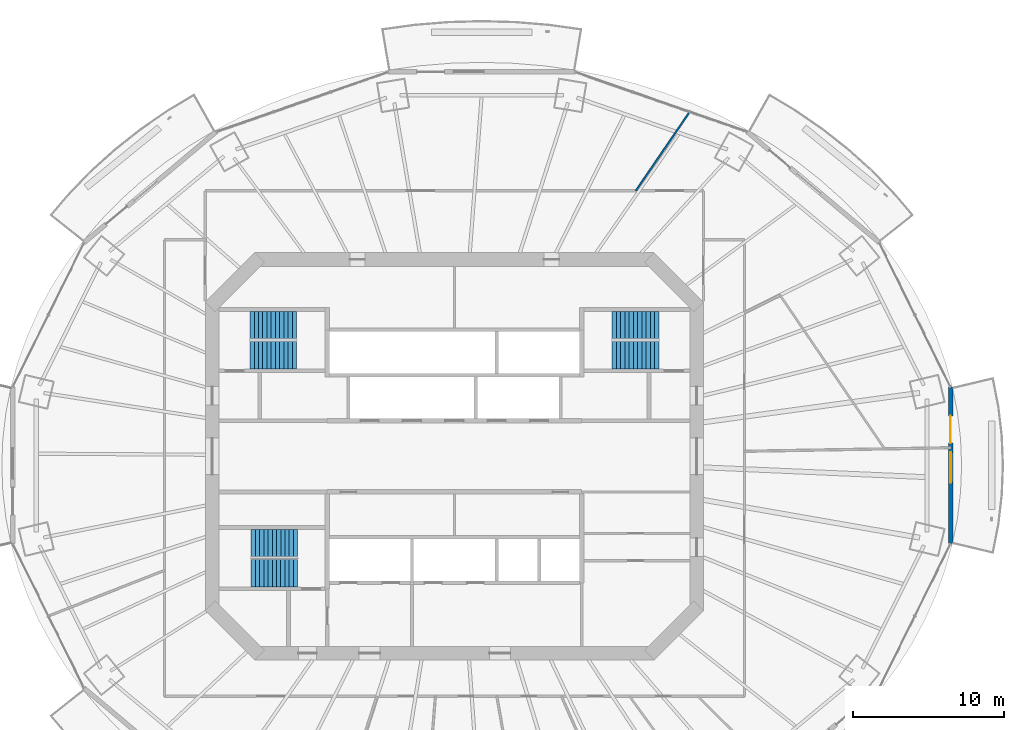
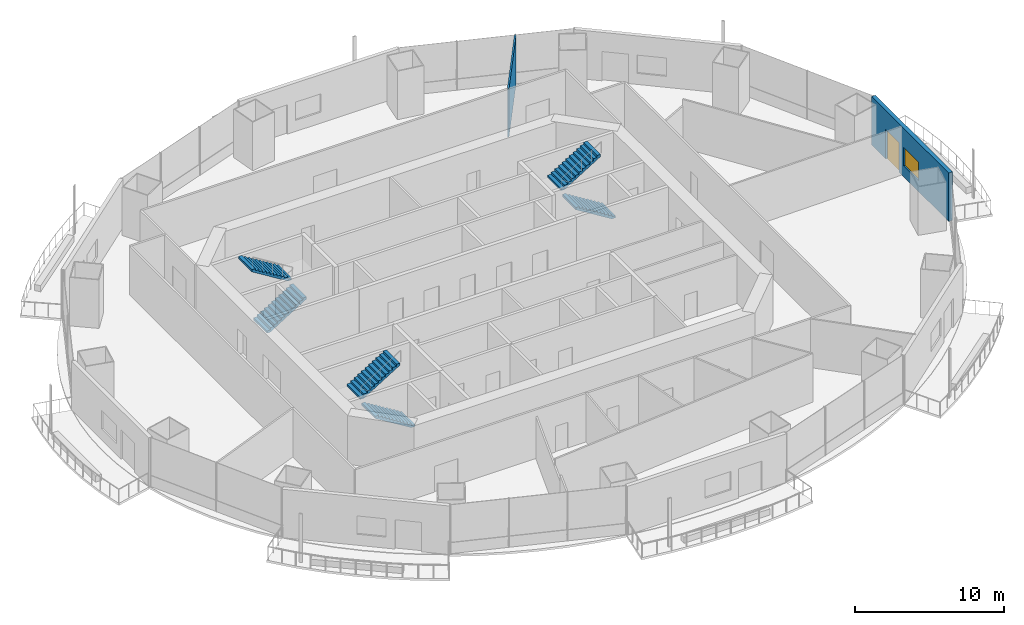
# One storey, part 15 of 21: 6 stair flights, 2 walls, 1 door, 1 window, 2 openings, 3 elements without a shape of their own.
"""IFC4 building model written with IfcOpenShell, lengths in metres."""

import ifcopenshell
import ifcopenshell.guid

model = None  # the IFC model being written
_history = None  # IfcOwnerHistory: only IFC2X3 demands one
_inside = {}  # id of a spatial element -> (the spatial element, [elements in it])
_under = {}  # id of a project, library or spatial element -> (it, [spatial elements below it])
_declared = {}  # id of a project -> (the project, [libraries it declares])
_typed = {}  # id of a type object -> (the type object, [elements of that type])
_made_of = {}  # id of a material, layer set ... -> (it, [elements and type objects made of it])


def new_model(schema):
    """Start an empty IFC model of exactly this schema.

    Asked for "IFC4X3", IfcOpenShell would pick the latest addendum, in which some entities
    have other attributes; the version numbers below select the first issue.
    IFC2X3 requires an IfcOwnerHistory on every rooted entity: one is made here for all.
    """
    global model, _history
    if schema == "IFC4X3":
        model = ifcopenshell.file(schema_version=(4, 3, 0, 0))
    else:
        model = ifcopenshell.file(schema=schema)
    _inside.clear()
    _under.clear()
    _declared.clear()
    _typed.clear()
    _made_of.clear()
    _history = None
    if model.schema == "IFC2X3":
        org = make("IfcOrganization", Name="unknown")
        user = make(
            "IfcPersonAndOrganization",
            ThePerson=make("IfcPerson", FamilyName="unknown"),
            TheOrganization=org,
        )
        app = make(
            "IfcApplication",
            ApplicationDeveloper=org,
            Version="unknown",
            ApplicationFullName="unknown",
            ApplicationIdentifier="unknown",
        )
        _history = make(
            "IfcOwnerHistory",
            OwningUser=user,
            OwningApplication=app,
            ChangeAction="ADDED",
            CreationDate=0,
        )
    return model


def make(cls, **values):
    """One entity of the class cls with the attributes given. An attribute that is None is left unset."""
    return model.create_entity(
        cls, **{name: value for name, value in values.items() if value is not None}
    )


def rooted(cls, **values):
    """An entity with a GlobalId (a new one), such as an element, a storey or a relation."""
    return make(cls, GlobalId=ifcopenshell.guid.new(), OwnerHistory=_history, **values)


def si_unit(unit_type, name, prefix=None):
    """IfcSIUnit, for example si_unit("LENGTHUNIT", "METRE", prefix="MILLI")."""
    return make("IfcSIUnit", UnitType=unit_type, Prefix=prefix, Name=name)


def assignment(units):
    """IfcUnitAssignment: the units of a project."""
    return None if units is None else make("IfcUnitAssignment", Units=units)


def point(xyz):
    """IfcCartesianPoint."""
    return None if xyz is None else make("IfcCartesianPoint", Coordinates=xyz)


def direction(xyz):
    """IfcDirection."""
    return None if xyz is None else make("IfcDirection", DirectionRatios=xyz)


def frame(location, z_axis=None, x_axis=None):
    """IfcAxis2Placement3D, a coordinate frame: its origin and axes. An axis left out is left unset."""
    return make(
        "IfcAxis2Placement3D",
        Location=point(location),
        Axis=direction(z_axis),
        RefDirection=direction(x_axis),
    )


def frame_2d(location, x_axis=None):
    """IfcAxis2Placement2D, a coordinate frame in the plane: its origin and x axis."""
    return make(
        "IfcAxis2Placement2D", Location=point(location), RefDirection=direction(x_axis)
    )


def origin():
    """The frame at (0, 0, 0) with its axes left unset."""
    return frame((0.0, 0.0, 0.0))


def place(relative_to, where):
    """IfcLocalPlacement: puts the frame where relative to a parent placement (None: the world)."""
    return make(
        "IfcLocalPlacement", PlacementRelTo=relative_to, RelativePlacement=where
    )


def context(
    kind, dimensions, precision=None, world=None, true_north=None, identifier=None
):
    """IfcGeometricRepresentationContext, for example the 3D "Model" context."""
    return make(
        "IfcGeometricRepresentationContext",
        ContextIdentifier=identifier,
        ContextType=kind,
        CoordinateSpaceDimension=dimensions,
        Precision=precision,
        WorldCoordinateSystem=world,
        TrueNorth=true_north,
    )


def subcontext(parent, identifier, kind, view, scale=None):
    """IfcGeometricRepresentationSubContext, for example "Body" below "Model"."""
    return make(
        "IfcGeometricRepresentationSubContext",
        ContextIdentifier=identifier,
        ContextType=kind,
        ParentContext=parent,
        TargetScale=scale,
        TargetView=view,
    )


def project(units=None, contexts=None):
    """IfcProject with its units and contexts."""
    return rooted(
        "IfcProject",
        Name="project",
        RepresentationContexts=contexts,
        UnitsInContext=assignment(units),
    )


def spatial(cls, under=None, at=None, **own):
    """A site, building, storey or space (cls), placed at a placement, below another one or the project."""
    s = rooted(cls, ObjectPlacement=at, **own)
    if under is not None:
        _under.setdefault(under.id(), (under, []))[1].append(s)
    return s


def polyline(points):
    """IfcPolyline through the points."""
    return make("IfcPolyline", Points=[point(p) for p in points])


def profile(cls, at=None, kind="AREA", **sizes):
    """A parametric profile (cls). Its sizes go by their IFC names, for example OverallWidth=200.0."""
    return make(cls, ProfileType=kind, Position=at, **sizes)


def rectangle(**sizes):
    """IfcRectangleProfileDef."""
    return profile("IfcRectangleProfileDef", **sizes)


def outline(outer, holes=None, kind="AREA"):
    """IfcArbitraryClosedProfileDef: a profile drawn as a closed curve; with holes, ...WithVoids."""
    if holes is None:
        return make("IfcArbitraryClosedProfileDef", ProfileType=kind, OuterCurve=outer)
    return make(
        "IfcArbitraryProfileDefWithVoids",
        ProfileType=kind,
        OuterCurve=outer,
        InnerCurves=holes,
    )


def extrude(swept, where, along, depth):
    """IfcExtrudedAreaSolid: the profile swept, set in the frame where, extruded along a direction by depth."""
    return make(
        "IfcExtrudedAreaSolid",
        SweptArea=swept,
        Position=where,
        ExtrudedDirection=direction(along),
        Depth=depth,
    )


def shape(context_of_items, identifier, shape_type, items):
    """IfcShapeRepresentation: the items that make up one representation, for example the "Body"."""
    return make(
        "IfcShapeRepresentation",
        ContextOfItems=context_of_items,
        RepresentationIdentifier=identifier,
        RepresentationType=shape_type,
        Items=items,
    )


def material(Name=None, Category=None):
    """IfcMaterial."""
    return make("IfcMaterial", Name=Name, Category=Category)


def layer(
    of_material, thickness, ventilated=None, Name=None, Category=None, Priority=None
):
    """IfcMaterialLayer: one layer of a wall or slab, of a material (None: an air gap)."""
    return make(
        "IfcMaterialLayer",
        Material=of_material,
        LayerThickness=thickness,
        IsVentilated=ventilated,
        Name=Name,
        Category=Category,
        Priority=Priority,
    )


def layer_set(layers, Name=None):
    """IfcMaterialLayerSet."""
    return make("IfcMaterialLayerSet", MaterialLayers=layers, LayerSetName=Name)


def made_of(thing, what):
    """Note that an element or type object is made of a material, layer set ...; save() writes the relation."""
    if what is not None:
        _made_of.setdefault(what.id(), (what, []))[1].append(thing)
    return thing


def type_object(cls, material=None, **own):
    """A type object (cls), such as IfcWallType, which elements share."""
    return made_of(rooted(cls, **own), material)


def element(
    cls,
    number,
    at=None,
    inside=None,
    cuts=None,
    type_object=None,
    material=None,
    context=None,
    identifier="Body",
    shape_type=None,
    held_by="IfcProductDefinitionShape",
    body=None,
    shapes=None,
    **own,
):
    """One element of the class cls, such as IfcWall. Its Tag is "e" and its number.

    at: its placement. inside: the storey or other place that contains it. cuts: it is an
    opening in that element (IfcRelVoidsElement). A single representation is given by context,
    identifier, shape_type and body (its items); several are given by shapes. held_by: the class
    of the entity that holds the representations. save() writes the other relations.
    """
    e = rooted(cls, Tag="e%d" % number, ObjectPlacement=at, **own)
    if body is not None:
        shapes = [shape(context, identifier, shape_type, body)]
    if shapes is not None:
        e.Representation = make(held_by, Representations=shapes)
    if inside is not None:
        _inside.setdefault(inside.id(), (inside, []))[1].append(e)
    if cuts is not None:
        rooted(
            "IfcRelVoidsElement", RelatingBuildingElement=cuts, RelatedOpeningElement=e
        )
    if type_object is not None:
        _typed.setdefault(type_object.id(), (type_object, []))[1].append(e)
    return made_of(e, material)


def fill(opening, filler):
    """IfcRelFillsElement: the door or window that sits in an opening."""
    return rooted(
        "IfcRelFillsElement",
        RelatingOpeningElement=opening,
        RelatedBuildingElement=filler,
    )


def aggregate(whole, parts):
    """IfcRelAggregates: a whole, such as a stair, and the parts it consists of."""
    return rooted("IfcRelAggregates", RelatingObject=whole, RelatedObjects=parts)


def save(model, path):
    """Write the relations noted so far, then the file.

    IfcRelAggregates (storeys below a building ...), IfcRelContainedInSpatialStructure (elements
    in a storey), IfcRelDefinesByType, IfcRelAssociatesMaterial and IfcRelDeclares: one each for
    every whole, place, type object, material and project.
    """
    for whole, parts in _under.values():
        aggregate(whole, parts)
    for where, things in _inside.values():
        rooted(
            "IfcRelContainedInSpatialStructure",
            RelatedElements=things,
            RelatingStructure=where,
        )
    for kind, things in _typed.values():
        rooted("IfcRelDefinesByType", RelatedObjects=things, RelatingType=kind)
    for what, things in _made_of.values():
        rooted("IfcRelAssociatesMaterial", RelatedObjects=things, RelatingMaterial=what)
    for by, libraries in _declared.values():
        rooted("IfcRelDeclares", RelatingContext=by, RelatedDefinitions=libraries)
    model.write(path)


model = new_model("IFC4")

# Units and contexts
model_context = context("Model", 3, precision=1e-05, world=origin(), true_north=direction((0.0, 1.0)))
body_context = subcontext(model_context, "Body", "Model", "MODEL_VIEW")
ifc_project = project(units=[si_unit("LENGTHUNIT", "METRE"), si_unit("AREAUNIT", "SQUARE_METRE"), si_unit("VOLUMEUNIT", "CUBIC_METRE"), si_unit("PLANEANGLEUNIT", "RADIAN"), si_unit("MASSUNIT", "GRAM", prefix="KILO")], contexts=[model_context])

# Site, building, storey
site_placement = place(None, origin())
site = spatial("IfcSite", under=ifc_project, at=site_placement, CompositionType="ELEMENT")
building_placement = place(site_placement, origin())
building = spatial("IfcBuilding", under=site, at=building_placement, Name="Marenthal Gate Tower", CompositionType="ELEMENT")
storey_placement = place(building_placement, frame((0.0, 0.0, 206.699951171875)))
storey = spatial("IfcBuildingStorey", under=building, at=storey_placement, Name="L45", CompositionType="ELEMENT", Elevation=206.699951171875)

# Wall
ifc_material_1 = material(Name="Gypsum board on steel studs", Category="steel")
ifc_layer_1 = layer(ifc_material_1, 0.1201171875)
ifc_layer_set_1 = layer_set([ifc_layer_1], Name="Partition 120")
wall_type_1 = type_object("IfcWallType", Name="Partition 120", PredefinedType="PARTITIONING", material=ifc_layer_set_1)
wall_1_placement = place(storey_placement, frame((11.974365234375, 17.534423828125, 0.0), z_axis=(0.0, 0.0, 1.0), x_axis=(0.563957789677, 0.825803615554, 0.0)))
element("IfcWall", 1, at=wall_1_placement, inside=storey, type_object=wall_type_1, Name="Partition wall 59", PredefinedType="PARTITIONING", context=body_context, shape_type="SweptSolid", body=[
    extrude(rectangle(XDim=6.31787109375, YDim=0.1201171875, at=frame_2d((3.158935546875, 0.0))), origin(), (0.0, 0.0, 1.0), 3.969970703125),
])

# Wall, openings, door, window
ifc_material_2 = material(Name="Terracotta cladding on insulated concrete-block backing", Category="masonry")
ifc_layer_2 = layer(ifc_material_2, 0.300048828125)
ifc_layer_set_2 = layer_set([ifc_layer_2], Name="Terracotta facade wall 300")
wall_type_2 = type_object("IfcWallType", Name="Terracotta facade wall 300", PredefinedType="SOLIDWALL", material=ifc_layer_set_2)
wall_2_placement = place(storey_placement, frame((32.765380859375, -5.768798828125, 0.0), z_axis=(0.0, 0.0, 1.0), x_axis=(0.0, 1.0, 0.0)))
wall_2 = element("IfcWall", 2, at=wall_2_placement, inside=storey, type_object=wall_type_2, Name="Terracotta facade wall L45 bay 16", PredefinedType="SOLIDWALL", context=body_context, shape_type="SweptSolid", body=[
    extrude(rectangle(XDim=10.337646484375, YDim=0.300048828125, at=frame_2d((5.1689453125, 0.0))), origin(), (0.0, 0.0, 1.0), 3.969970703125),
])
opening_1_placement = place(wall_2_placement, frame((6.6376953125, 0.0, 0.0)))
opening_1 = element("IfcOpeningElement", 3, at=opening_1_placement, cuts=wall_2, Name="Opening BD-L45-16", PredefinedType="OPENING", context=body_context, shape_type="SweptSolid", body=[
    extrude(rectangle(XDim=1.800048828125, YDim=2.39990234375, at=frame_2d((0.89990234375, 1.199951171875))), frame((0.0, 0.16015625, 0.0), z_axis=(0.0, -1.0, 0.0), x_axis=(1.0, 0.0, 0.0)), (0.0, 0.0, 1.0), 0.320068359375),
])
opening_2_placement = place(wall_2_placement, frame((4.037841796875, 0.0, 0.89990234375)))
opening_2 = element("IfcOpeningElement", 4, at=opening_2_placement, cuts=wall_2, Name="Opening WN2-L45-16", PredefinedType="OPENING", context=body_context, shape_type="SweptSolid", body=[
    extrude(rectangle(XDim=2.0, YDim=1.5, at=frame_2d((1.0, 0.75))), frame((0.0, 0.16015625, 0.0), z_axis=(0.0, -1.0, 0.0), x_axis=(1.0, 0.0, 0.0)), (0.0, 0.0, 1.0), 0.320068359375),
])
ifc_material_3 = material(Name="Aluminium and glass", Category="aluminium")
door_type = type_object("IfcDoorType", Name="Balcony door 1800x2400", OperationType="DOUBLE_DOOR_SINGLE_SWING", PredefinedType="DOOR", material=ifc_material_3)
door_placement = place(opening_1_placement, origin())
door = element("IfcDoor", 5, at=door_placement, inside=storey, type_object=door_type, Name="Balcony door L45 bay 16", OperationType="SINGLE_SWING_LEFT", OverallHeight=2.39990234375, OverallWidth=1.800048828125, PredefinedType="DOOR", context=body_context, shape_type="SweptSolid", body=[
    extrude(rectangle(XDim=1.800048828125, YDim=2.39990234375, at=frame_2d((0.89990234375, 1.199951171875))), frame((0.0, 0.02490234375, 0.0), z_axis=(0.0, -1.0, 0.0), x_axis=(1.0, 0.0, 0.0)), (0.0, 0.0, 1.0), 0.050048828125),
])
fill(opening_1, door)
ifc_material_4 = material(Name="Aluminium and glass", Category="aluminium")
window_type = type_object("IfcWindowType", Name="Window 2000x1500", PartitioningType="DOUBLE_PANEL_VERTICAL", PredefinedType="WINDOW", material=ifc_material_4)
window_placement = place(opening_2_placement, origin())
window = element("IfcWindow", 6, at=window_placement, inside=storey, type_object=window_type, Name="Window L45 bay 16", OverallHeight=1.5, OverallWidth=2.0, PartitioningType="SINGLE_PANEL", PredefinedType="WINDOW", context=body_context, shape_type="SweptSolid", body=[
    extrude(rectangle(XDim=2.0, YDim=1.5, at=frame_2d((1.0, 0.75))), frame((0.0, 0.030029296875, 0.0), z_axis=(0.0, -1.0, 0.0), x_axis=(1.0, 0.0, 0.0)), (0.0, 0.0, 1.0), 0.06005859375),
])
fill(opening_2, window)

# Stair, stair flights
ifc_material_5 = material(Name="Concrete 40 MPa", Category="concrete")
stair_type = type_object("IfcStairType", Name="Exit stair 1800", PredefinedType="HALF_TURN_STAIR", material=ifc_material_5)
stair_1_placement = place(storey_placement, origin())
stair_1 = element("IfcStair", 7, at=stair_1_placement, inside=storey, type_object=stair_type, Name="Stair ST1", PredefinedType="HALF_TURN_STAIR")
ifc_material_6 = material(Name="Concrete 40 MPa", Category="concrete")
stair_flight_type = type_object("IfcStairFlightType", Name="Stair flight 1800", PredefinedType="STRAIGHT", material=ifc_material_6)
stair_flight_1_placement = place(storey_placement, frame((-13.5, 6.675048828125, 0.0), z_axis=(0.0, 0.0, 1.0), x_axis=(1.0, 0.0, 0.0)))
stair_flight_1 = element("IfcStairFlight", 8, at=stair_flight_1_placement, type_object=stair_flight_type, Name="ST1 flight 1", NumberOfRisers=12, NumberOfTreads=11, PredefinedType="STRAIGHT", RiserHeight=0.172916667, TreadLength=0.28, context=body_context, shape_type="SweptSolid", body=[
    extrude(outline(polyline([(0.0, 0.0), (0.0, 0.1728515625), (0.280029296875, 0.1728515625), (0.280029296875, 0.345947265625), (0.56005859375, 0.345947265625), (0.56005859375, 0.518798828125), (0.840087890625, 0.518798828125), (0.840087890625, 0.691650390625), (1.1201171875, 0.691650390625), (1.1201171875, 0.864501953125), (1.39990234375, 0.864501953125), (1.39990234375, 1.03759765625), (1.679931640625, 1.03759765625), (1.679931640625, 1.21044921875), (1.9599609375, 1.21044921875), (1.9599609375, 1.38330078125), (2.239990234375, 1.38330078125), (2.239990234375, 1.55615234375), (2.52001953125, 1.55615234375), (2.52001953125, 1.729248046875), (2.800048828125, 1.729248046875), (2.800048828125, 1.902099609375), (3.080078125, 1.902099609375), (3.080078125, 2.074951171875), (3.080078125, 1.725830078125), (0.285400390625, 0.0), (0.0, 0.0)])), frame((0.0, 0.89990234375, 0.0), z_axis=(0.0, -1.0, 0.0), x_axis=(1.0, 0.0, 0.0)), (0.0, 0.0, 1.0), 1.800048828125),
])
stair_flight_2_placement = place(storey_placement, frame((-10.419921875, 8.675048828125, 2.074951171875), z_axis=(0.0, 0.0, 1.0), x_axis=(-1.0, 0.0, 0.0)))
stair_flight_2 = element("IfcStairFlight", 9, at=stair_flight_2_placement, type_object=stair_flight_type, Name="ST1 flight 2", NumberOfRisers=12, NumberOfTreads=11, PredefinedType="STRAIGHT", RiserHeight=0.172916667, TreadLength=0.28, context=body_context, shape_type="SweptSolid", body=[
    extrude(outline(polyline([(0.0, 0.0), (0.0, 0.1728515625), (0.280029296875, 0.1728515625), (0.280029296875, 0.345947265625), (0.56005859375, 0.345947265625), (0.56005859375, 0.518798828125), (0.840087890625, 0.518798828125), (0.840087890625, 0.691650390625), (1.1201171875, 0.691650390625), (1.1201171875, 0.864501953125), (1.39990234375, 0.864501953125), (1.39990234375, 1.03759765625), (1.679931640625, 1.03759765625), (1.679931640625, 1.21044921875), (1.9599609375, 1.21044921875), (1.9599609375, 1.38330078125), (2.239990234375, 1.38330078125), (2.239990234375, 1.55615234375), (2.52001953125, 1.55615234375), (2.52001953125, 1.729248046875), (2.800048828125, 1.729248046875), (2.800048828125, 1.902099609375), (3.080078125, 1.902099609375), (3.080078125, 2.074951171875), (3.080078125, 1.725830078125), (0.285400390625, 0.0), (0.0, 0.0)])), frame((0.0, 0.89990234375, 0.0), z_axis=(0.0, -1.0, 0.0), x_axis=(1.0, 0.0, 0.0)), (0.0, 0.0, 1.0), 1.800048828125),
])
aggregate(stair_1, [stair_flight_1, stair_flight_2])

stair_2_placement = place(storey_placement, origin())
stair_2 = element("IfcStair", 10, at=stair_2_placement, inside=storey, type_object=stair_type, Name="Stair ST2", PredefinedType="HALF_TURN_STAIR")
stair_flight_3_placement = place(storey_placement, frame((-10.35009765625, -7.72509765625, 0.0), z_axis=(0.0, 0.0, 1.0), x_axis=(-1.0, 0.0, 0.0)))
stair_flight_3 = element("IfcStairFlight", 11, at=stair_flight_3_placement, type_object=stair_flight_type, Name="ST2 flight 1", NumberOfRisers=12, NumberOfTreads=11, PredefinedType="STRAIGHT", RiserHeight=0.172916667, TreadLength=0.28, context=body_context, shape_type="SweptSolid", body=[
    extrude(outline(polyline([(0.0, 0.0), (0.0, 0.1728515625), (0.280029296875, 0.1728515625), (0.280029296875, 0.345947265625), (0.56005859375, 0.345947265625), (0.56005859375, 0.518798828125), (0.840087890625, 0.518798828125), (0.840087890625, 0.691650390625), (1.1201171875, 0.691650390625), (1.1201171875, 0.864501953125), (1.39990234375, 0.864501953125), (1.39990234375, 1.03759765625), (1.679931640625, 1.03759765625), (1.679931640625, 1.21044921875), (1.9599609375, 1.21044921875), (1.9599609375, 1.38330078125), (2.239990234375, 1.38330078125), (2.239990234375, 1.55615234375), (2.52001953125, 1.55615234375), (2.52001953125, 1.729248046875), (2.800048828125, 1.729248046875), (2.800048828125, 1.902099609375), (3.080078125, 1.902099609375), (3.080078125, 2.074951171875), (3.080078125, 1.725830078125), (0.285400390625, 0.0), (0.0, 0.0)])), frame((0.0, 0.89990234375, 0.0), z_axis=(0.0, -1.0, 0.0), x_axis=(1.0, 0.0, 0.0)), (0.0, 0.0, 1.0), 1.800048828125),
])
stair_flight_4_placement = place(storey_placement, frame((-13.429931640625, -5.72509765625, 2.074951171875), z_axis=(0.0, 0.0, 1.0), x_axis=(1.0, 0.0, 0.0)))
stair_flight_4 = element("IfcStairFlight", 12, at=stair_flight_4_placement, type_object=stair_flight_type, Name="ST2 flight 2", NumberOfRisers=12, NumberOfTreads=11, PredefinedType="STRAIGHT", RiserHeight=0.172916667, TreadLength=0.28, context=body_context, shape_type="SweptSolid", body=[
    extrude(outline(polyline([(0.0, 0.0), (0.0, 0.1728515625), (0.280029296875, 0.1728515625), (0.280029296875, 0.345947265625), (0.56005859375, 0.345947265625), (0.56005859375, 0.518798828125), (0.840087890625, 0.518798828125), (0.840087890625, 0.691650390625), (1.1201171875, 0.691650390625), (1.1201171875, 0.864501953125), (1.39990234375, 0.864501953125), (1.39990234375, 1.03759765625), (1.679931640625, 1.03759765625), (1.679931640625, 1.21044921875), (1.9599609375, 1.21044921875), (1.9599609375, 1.38330078125), (2.239990234375, 1.38330078125), (2.239990234375, 1.55615234375), (2.52001953125, 1.55615234375), (2.52001953125, 1.729248046875), (2.800048828125, 1.729248046875), (2.800048828125, 1.902099609375), (3.080078125, 1.902099609375), (3.080078125, 2.074951171875), (3.080078125, 1.725830078125), (0.285400390625, 0.0), (0.0, 0.0)])), frame((0.0, 0.89990234375, 0.0), z_axis=(0.0, -1.0, 0.0), x_axis=(1.0, 0.0, 0.0)), (0.0, 0.0, 1.0), 1.800048828125),
])
aggregate(stair_2, [stair_flight_3, stair_flight_4])

stair_3_placement = place(storey_placement, origin())
stair_3 = element("IfcStair", 13, at=stair_3_placement, inside=storey, type_object=stair_type, Name="Stair ST3", PredefinedType="HALF_TURN_STAIR")
stair_flight_5_placement = place(storey_placement, frame((13.5, 6.675048828125, 0.0), z_axis=(0.0, 0.0, 1.0), x_axis=(-1.0, 0.0, 0.0)))
stair_flight_5 = element("IfcStairFlight", 14, at=stair_flight_5_placement, type_object=stair_flight_type, Name="ST3 flight 1", NumberOfRisers=12, NumberOfTreads=11, PredefinedType="STRAIGHT", RiserHeight=0.172916667, TreadLength=0.28, context=body_context, shape_type="SweptSolid", body=[
    extrude(outline(polyline([(0.0, 0.0), (0.0, 0.1728515625), (0.280029296875, 0.1728515625), (0.280029296875, 0.345947265625), (0.56005859375, 0.345947265625), (0.56005859375, 0.518798828125), (0.840087890625, 0.518798828125), (0.840087890625, 0.691650390625), (1.1201171875, 0.691650390625), (1.1201171875, 0.864501953125), (1.39990234375, 0.864501953125), (1.39990234375, 1.03759765625), (1.679931640625, 1.03759765625), (1.679931640625, 1.21044921875), (1.9599609375, 1.21044921875), (1.9599609375, 1.38330078125), (2.239990234375, 1.38330078125), (2.239990234375, 1.55615234375), (2.52001953125, 1.55615234375), (2.52001953125, 1.729248046875), (2.800048828125, 1.729248046875), (2.800048828125, 1.902099609375), (3.080078125, 1.902099609375), (3.080078125, 2.074951171875), (3.080078125, 1.725830078125), (0.285400390625, 0.0), (0.0, 0.0)])), frame((0.0, 0.89990234375, 0.0), z_axis=(0.0, -1.0, 0.0), x_axis=(1.0, 0.0, 0.0)), (0.0, 0.0, 1.0), 1.800048828125),
])
stair_flight_6_placement = place(storey_placement, frame((10.419921875, 8.675048828125, 2.074951171875), z_axis=(0.0, 0.0, 1.0), x_axis=(1.0, 0.0, 0.0)))
stair_flight_6 = element("IfcStairFlight", 15, at=stair_flight_6_placement, type_object=stair_flight_type, Name="ST3 flight 2", NumberOfRisers=12, NumberOfTreads=11, PredefinedType="STRAIGHT", RiserHeight=0.172916667, TreadLength=0.28, context=body_context, shape_type="SweptSolid", body=[
    extrude(outline(polyline([(0.0, 0.0), (0.0, 0.1728515625), (0.280029296875, 0.1728515625), (0.280029296875, 0.345947265625), (0.56005859375, 0.345947265625), (0.56005859375, 0.518798828125), (0.840087890625, 0.518798828125), (0.840087890625, 0.691650390625), (1.1201171875, 0.691650390625), (1.1201171875, 0.864501953125), (1.39990234375, 0.864501953125), (1.39990234375, 1.03759765625), (1.679931640625, 1.03759765625), (1.679931640625, 1.21044921875), (1.9599609375, 1.21044921875), (1.9599609375, 1.38330078125), (2.239990234375, 1.38330078125), (2.239990234375, 1.55615234375), (2.52001953125, 1.55615234375), (2.52001953125, 1.729248046875), (2.800048828125, 1.729248046875), (2.800048828125, 1.902099609375), (3.080078125, 1.902099609375), (3.080078125, 2.074951171875), (3.080078125, 1.725830078125), (0.285400390625, 0.0), (0.0, 0.0)])), frame((0.0, 0.89990234375, 0.0), z_axis=(0.0, -1.0, 0.0), x_axis=(1.0, 0.0, 0.0)), (0.0, 0.0, 1.0), 1.800048828125),
])
aggregate(stair_3, [stair_flight_5, stair_flight_6])

save(model, "model.ifc")
